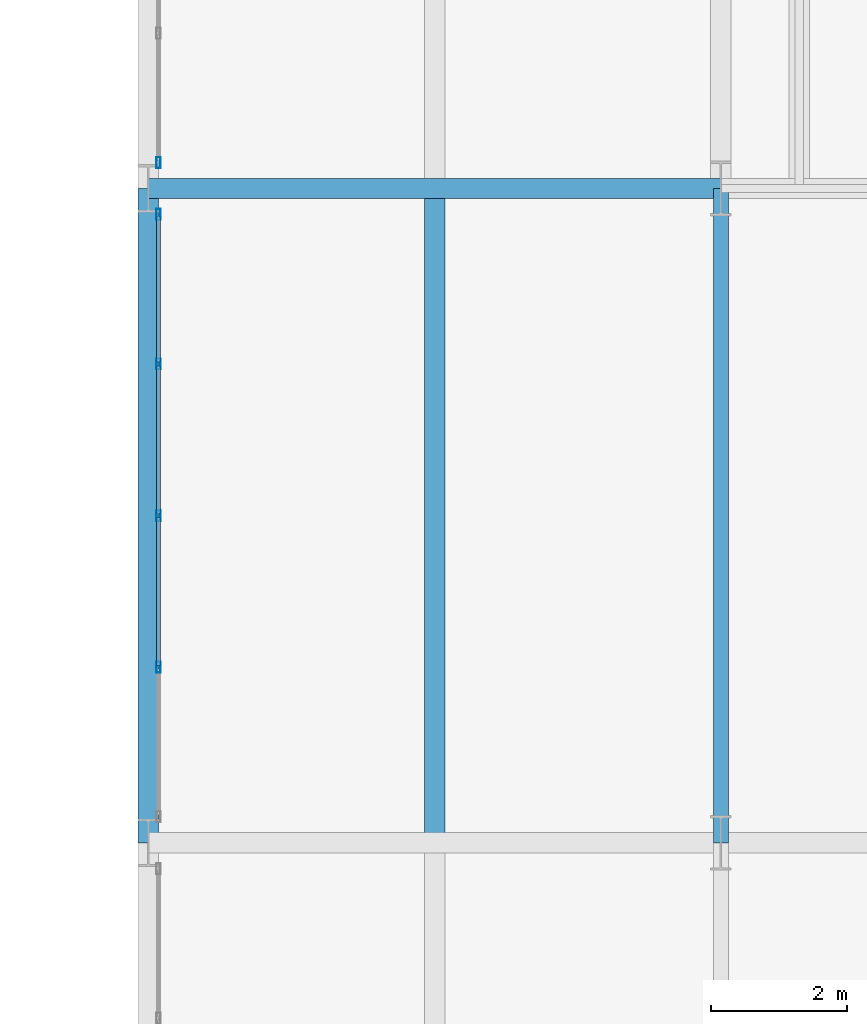
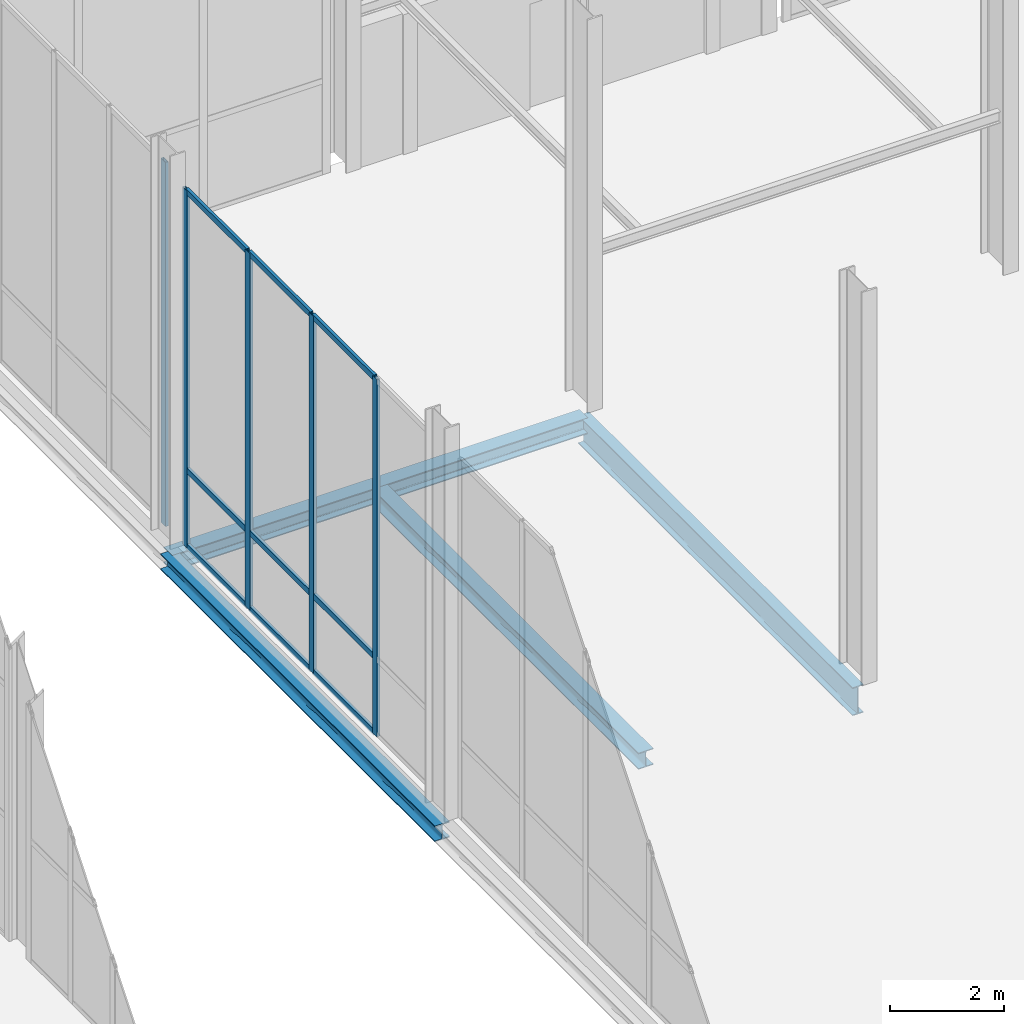
# One storey, part 67 of 131: 14 members, 4 beams, 2 elements without a shape of their own.
"""IFC4 building model written with IfcOpenShell, lengths in metres."""

import ifcopenshell
import ifcopenshell.guid

model = None  # the IFC model being written
_history = None  # IfcOwnerHistory: only IFC2X3 demands one
_inside = {}  # id of a spatial element -> (the spatial element, [elements in it])
_under = {}  # id of a project, library or spatial element -> (it, [spatial elements below it])
_declared = {}  # id of a project -> (the project, [libraries it declares])
_typed = {}  # id of a type object -> (the type object, [elements of that type])
_made_of = {}  # id of a material, layer set ... -> (it, [elements and type objects made of it])


def new_model(schema):
    """Start an empty IFC model of exactly this schema.

    Asked for "IFC4X3", IfcOpenShell would pick the latest addendum, in which some entities
    have other attributes; the version numbers below select the first issue.
    IFC2X3 requires an IfcOwnerHistory on every rooted entity: one is made here for all.
    """
    global model, _history
    if schema == "IFC4X3":
        model = ifcopenshell.file(schema_version=(4, 3, 0, 0))
    else:
        model = ifcopenshell.file(schema=schema)
    _inside.clear()
    _under.clear()
    _declared.clear()
    _typed.clear()
    _made_of.clear()
    _history = None
    if model.schema == "IFC2X3":
        org = make("IfcOrganization", Name="unknown")
        user = make(
            "IfcPersonAndOrganization",
            ThePerson=make("IfcPerson", FamilyName="unknown"),
            TheOrganization=org,
        )
        app = make(
            "IfcApplication",
            ApplicationDeveloper=org,
            Version="unknown",
            ApplicationFullName="unknown",
            ApplicationIdentifier="unknown",
        )
        _history = make(
            "IfcOwnerHistory",
            OwningUser=user,
            OwningApplication=app,
            ChangeAction="ADDED",
            CreationDate=0,
        )
    return model


def make(cls, **values):
    """One entity of the class cls with the attributes given. An attribute that is None is left unset."""
    return model.create_entity(
        cls, **{name: value for name, value in values.items() if value is not None}
    )


def rooted(cls, **values):
    """An entity with a GlobalId (a new one), such as an element, a storey or a relation."""
    return make(cls, GlobalId=ifcopenshell.guid.new(), OwnerHistory=_history, **values)


def si_unit(unit_type, name, prefix=None):
    """IfcSIUnit, for example si_unit("LENGTHUNIT", "METRE", prefix="MILLI")."""
    return make("IfcSIUnit", UnitType=unit_type, Prefix=prefix, Name=name)


def assignment(units):
    """IfcUnitAssignment: the units of a project."""
    return None if units is None else make("IfcUnitAssignment", Units=units)


def point(xyz):
    """IfcCartesianPoint."""
    return None if xyz is None else make("IfcCartesianPoint", Coordinates=xyz)


def direction(xyz):
    """IfcDirection."""
    return None if xyz is None else make("IfcDirection", DirectionRatios=xyz)


def frame(location, z_axis=None, x_axis=None):
    """IfcAxis2Placement3D, a coordinate frame: its origin and axes. An axis left out is left unset."""
    return make(
        "IfcAxis2Placement3D",
        Location=point(location),
        Axis=direction(z_axis),
        RefDirection=direction(x_axis),
    )


def frame_2d(location, x_axis=None):
    """IfcAxis2Placement2D, a coordinate frame in the plane: its origin and x axis."""
    return make(
        "IfcAxis2Placement2D", Location=point(location), RefDirection=direction(x_axis)
    )


def origin():
    """The frame at (0, 0, 0) with its axes left unset."""
    return frame((0.0, 0.0, 0.0))


def origin_2d():
    """The frame at (0, 0) in the plane with its x axis left unset."""
    return frame_2d((0.0, 0.0))


def place(relative_to, where):
    """IfcLocalPlacement: puts the frame where relative to a parent placement (None: the world)."""
    return make(
        "IfcLocalPlacement", PlacementRelTo=relative_to, RelativePlacement=where
    )


def context(
    kind, dimensions, precision=None, world=None, true_north=None, identifier=None
):
    """IfcGeometricRepresentationContext, for example the 3D "Model" context."""
    return make(
        "IfcGeometricRepresentationContext",
        ContextIdentifier=identifier,
        ContextType=kind,
        CoordinateSpaceDimension=dimensions,
        Precision=precision,
        WorldCoordinateSystem=world,
        TrueNorth=true_north,
    )


def subcontext(parent, identifier, kind, view, scale=None):
    """IfcGeometricRepresentationSubContext, for example "Body" below "Model"."""
    return make(
        "IfcGeometricRepresentationSubContext",
        ContextIdentifier=identifier,
        ContextType=kind,
        ParentContext=parent,
        TargetScale=scale,
        TargetView=view,
    )


def project(units=None, contexts=None):
    """IfcProject with its units and contexts."""
    return rooted(
        "IfcProject",
        Name="project",
        RepresentationContexts=contexts,
        UnitsInContext=assignment(units),
    )


def spatial(cls, under=None, at=None, **own):
    """A site, building, storey or space (cls), placed at a placement, below another one or the project."""
    s = rooted(cls, ObjectPlacement=at, **own)
    if under is not None:
        _under.setdefault(under.id(), (under, []))[1].append(s)
    return s


def profile(cls, at=None, kind="AREA", **sizes):
    """A parametric profile (cls). Its sizes go by their IFC names, for example OverallWidth=200.0."""
    return make(cls, ProfileType=kind, Position=at, **sizes)


def hollow_rectangle(**sizes):
    """IfcRectangleHollowProfileDef."""
    return profile("IfcRectangleHollowProfileDef", **sizes)


def i_section(**sizes):
    """IfcIShapeProfileDef."""
    return profile("IfcIShapeProfileDef", **sizes)


def extrude(swept, where, along, depth):
    """IfcExtrudedAreaSolid: the profile swept, set in the frame where, extruded along a direction by depth."""
    return make(
        "IfcExtrudedAreaSolid",
        SweptArea=swept,
        Position=where,
        ExtrudedDirection=direction(along),
        Depth=depth,
    )


def shape(context_of_items, identifier, shape_type, items):
    """IfcShapeRepresentation: the items that make up one representation, for example the "Body"."""
    return make(
        "IfcShapeRepresentation",
        ContextOfItems=context_of_items,
        RepresentationIdentifier=identifier,
        RepresentationType=shape_type,
        Items=items,
    )


def material(Name=None, Category=None):
    """IfcMaterial."""
    return make("IfcMaterial", Name=Name, Category=Category)


def material_profile(
    of_material, cross_section, Name=None, Category=None, Priority=None
):
    """IfcMaterialProfile: a cross section and its material."""
    return make(
        "IfcMaterialProfile",
        Name=Name,
        Material=of_material,
        Profile=cross_section,
        Priority=Priority,
        Category=Category,
    )


def profile_set(profiles, Name=None, composite=None):
    """IfcMaterialProfileSet."""
    return make(
        "IfcMaterialProfileSet",
        Name=Name,
        MaterialProfiles=profiles,
        CompositeProfile=composite,
    )


def made_of(thing, what):
    """Note that an element or type object is made of a material, layer set ...; save() writes the relation."""
    if what is not None:
        _made_of.setdefault(what.id(), (what, []))[1].append(thing)
    return thing


def type_object(cls, material=None, **own):
    """A type object (cls), such as IfcWallType, which elements share."""
    return made_of(rooted(cls, **own), material)


def element(
    cls,
    number,
    at=None,
    inside=None,
    cuts=None,
    type_object=None,
    material=None,
    context=None,
    identifier="Body",
    shape_type=None,
    held_by="IfcProductDefinitionShape",
    body=None,
    shapes=None,
    **own,
):
    """One element of the class cls, such as IfcWall. Its Tag is "e" and its number.

    at: its placement. inside: the storey or other place that contains it. cuts: it is an
    opening in that element (IfcRelVoidsElement). A single representation is given by context,
    identifier, shape_type and body (its items); several are given by shapes. held_by: the class
    of the entity that holds the representations. save() writes the other relations.
    """
    e = rooted(cls, Tag="e%d" % number, ObjectPlacement=at, **own)
    if body is not None:
        shapes = [shape(context, identifier, shape_type, body)]
    if shapes is not None:
        e.Representation = make(held_by, Representations=shapes)
    if inside is not None:
        _inside.setdefault(inside.id(), (inside, []))[1].append(e)
    if cuts is not None:
        rooted(
            "IfcRelVoidsElement", RelatingBuildingElement=cuts, RelatedOpeningElement=e
        )
    if type_object is not None:
        _typed.setdefault(type_object.id(), (type_object, []))[1].append(e)
    return made_of(e, material)


def aggregate(whole, parts):
    """IfcRelAggregates: a whole, such as a stair, and the parts it consists of."""
    return rooted("IfcRelAggregates", RelatingObject=whole, RelatedObjects=parts)


def save(model, path):
    """Write the relations noted so far, then the file.

    IfcRelAggregates (storeys below a building ...), IfcRelContainedInSpatialStructure (elements
    in a storey), IfcRelDefinesByType, IfcRelAssociatesMaterial and IfcRelDeclares: one each for
    every whole, place, type object, material and project.
    """
    for whole, parts in _under.values():
        aggregate(whole, parts)
    for where, things in _inside.values():
        rooted(
            "IfcRelContainedInSpatialStructure",
            RelatedElements=things,
            RelatingStructure=where,
        )
    for kind, things in _typed.values():
        rooted("IfcRelDefinesByType", RelatedObjects=things, RelatingType=kind)
    for what, things in _made_of.values():
        rooted("IfcRelAssociatesMaterial", RelatedObjects=things, RelatingMaterial=what)
    for by, libraries in _declared.values():
        rooted("IfcRelDeclares", RelatingContext=by, RelatedDefinitions=libraries)
    model.write(path)


model = new_model("IFC4")

# Units and contexts
model_context = context("Model", 3, precision=1e-05, world=origin(), true_north=direction((0.0, 1.0)))
body_context = subcontext(model_context, "Body", "Model", "MODEL_VIEW")
ifc_project = project(units=[si_unit("LENGTHUNIT", "METRE"), si_unit("AREAUNIT", "SQUARE_METRE"), si_unit("VOLUMEUNIT", "CUBIC_METRE"), si_unit("PLANEANGLEUNIT", "RADIAN"), si_unit("MASSUNIT", "GRAM", prefix="KILO")], contexts=[model_context])

# Site, building, storey
site_placement = place(None, origin())
site = spatial("IfcSite", under=ifc_project, at=site_placement, CompositionType="ELEMENT")
building_placement = place(site_placement, origin())
building = spatial("IfcBuilding", under=site, at=building_placement, Name="Veltarok Museum of Natural Sciences", CompositionType="ELEMENT")
storey_placement = place(building_placement, origin())
storey = spatial("IfcBuildingStorey", under=building, at=storey_placement, Name="L00", CompositionType="ELEMENT", Elevation=0.0)

# Curtain wall, members
ifc_material_1 = material(Name="Low-iron triple insulated glass", Category="glass")
curtain_wall_type_1 = type_object("IfcCurtainWallType", Name="Curtain Wall System CW-V2NPW-L00-3-890x763 (CW-V2NPW L00 890x763cm)", PredefinedType="NOTDEFINED", material=ifc_material_1)
curtain_wall_1_placement = place(storey_placement, origin())
curtain_wall_1 = element("IfcCurtainWall", 1, at=curtain_wall_1_placement, inside=storey, type_object=curtain_wall_type_1, Name="Curtain Wall CW-V2NPW-L00-3-890x763 CW-0215", PredefinedType="NOTDEFINED")
ifc_material_2 = material(Name="Thermally broken anodised aluminium", Category="aluminium")
ifc_material_profile_1 = material_profile(ifc_material_2, hollow_rectangle(XDim=0.06005859375, YDim=0.1201171875, WallThickness=0.0048828125, at=origin_2d()), Name="CW TRANSOM 60x120x5")
ifc_profile_set_1 = profile_set([ifc_material_profile_1], Name="Thermally broken anodised aluminium")
member_type_1 = type_object("IfcMemberType", Name="Curtain Wall Horizontal Transom 60x120x5", PredefinedType="USERDEFINED", material=ifc_profile_set_1)
member_1_placement = place(storey_placement, frame((56.949951171875, 93.804931640625, 0.028076171875), z_axis=(0.0, 1.0, 0.0), x_axis=(-1.0, 0.0, 0.0)))
member_1 = element("IfcMember", 2, at=member_1_placement, type_object=member_type_1, Name="CW-V2NPW-L00-3-890x763 transom 2.1", ObjectType="TRANSOM", PredefinedType="USERDEFINED", context=body_context, shape_type="SweptSolid", body=[
    extrude(hollow_rectangle(XDim=0.06005859375, YDim=0.1201171875, WallThickness=0.0048828125, at=origin_2d()), origin(), (0.0, 0.0, 1.0), 2.1650390625),
])
member_2_placement = place(storey_placement, frame((56.949951171875, 93.804931640625, 1.64794921875), z_axis=(0.0, 1.0, 0.0), x_axis=(-1.0, 0.0, 0.0)))
member_2 = element("IfcMember", 3, at=member_2_placement, type_object=member_type_1, Name="CW-V2NPW-L00-3-890x763 transom 2.2", ObjectType="TRANSOM", PredefinedType="USERDEFINED", context=body_context, shape_type="SweptSolid", body=[
    extrude(hollow_rectangle(XDim=0.06005859375, YDim=0.1201171875, WallThickness=0.0048828125, at=origin_2d()), origin(), (0.0, 0.0, 1.0), 2.1650390625),
])
member_3_placement = place(storey_placement, frame((56.949951171875, 93.804931640625, 7.60009765625), z_axis=(0.0, 1.0, 0.0), x_axis=(-1.0, 0.0, 0.0)))
member_3 = element("IfcMember", 4, at=member_3_placement, type_object=member_type_1, Name="CW-V2NPW-L00-3-890x763 transom 2.3", ObjectType="TRANSOM", PredefinedType="USERDEFINED", context=body_context, shape_type="SweptSolid", body=[
    extrude(hollow_rectangle(XDim=0.06005859375, YDim=0.1201171875, WallThickness=0.0048828125, at=origin_2d()), origin(), (0.0, 0.0, 1.0), 2.1650390625),
])
member_4_placement = place(storey_placement, frame((56.949951171875, 96.030029296875, 0.028076171875), z_axis=(0.0, 1.0, 0.0), x_axis=(-1.0, 0.0, 0.0)))
member_4 = element("IfcMember", 5, at=member_4_placement, type_object=member_type_1, Name="CW-V2NPW-L00-3-890x763 transom 3.1", ObjectType="TRANSOM", PredefinedType="USERDEFINED", context=body_context, shape_type="SweptSolid", body=[
    extrude(hollow_rectangle(XDim=0.06005859375, YDim=0.1201171875, WallThickness=0.0048828125, at=origin_2d()), origin(), (0.0, 0.0, 1.0), 2.1650390625),
])
member_5_placement = place(storey_placement, frame((56.949951171875, 96.030029296875, 1.64794921875), z_axis=(0.0, 1.0, 0.0), x_axis=(-1.0, 0.0, 0.0)))
member_5 = element("IfcMember", 6, at=member_5_placement, type_object=member_type_1, Name="CW-V2NPW-L00-3-890x763 transom 3.2", ObjectType="TRANSOM", PredefinedType="USERDEFINED", context=body_context, shape_type="SweptSolid", body=[
    extrude(hollow_rectangle(XDim=0.06005859375, YDim=0.1201171875, WallThickness=0.0048828125, at=origin_2d()), origin(), (0.0, 0.0, 1.0), 2.1650390625),
])
member_6_placement = place(storey_placement, frame((56.949951171875, 96.030029296875, 7.60009765625), z_axis=(0.0, 1.0, 0.0), x_axis=(-1.0, 0.0, 0.0)))
member_6 = element("IfcMember", 7, at=member_6_placement, type_object=member_type_1, Name="CW-V2NPW-L00-3-890x763 transom 3.3", ObjectType="TRANSOM", PredefinedType="USERDEFINED", context=body_context, shape_type="SweptSolid", body=[
    extrude(hollow_rectangle(XDim=0.06005859375, YDim=0.1201171875, WallThickness=0.0048828125, at=origin_2d()), origin(), (0.0, 0.0, 1.0), 2.1650390625),
])
member_7_placement = place(storey_placement, frame((56.949951171875, 98.2548828125, 0.028076171875), z_axis=(0.0, 1.0, 0.0), x_axis=(-1.0, 0.0, 0.0)))
member_7 = element("IfcMember", 8, at=member_7_placement, type_object=member_type_1, Name="CW-V2NPW-L00-3-890x763 transom 4.1", ObjectType="TRANSOM", PredefinedType="USERDEFINED", context=body_context, shape_type="SweptSolid", body=[
    extrude(hollow_rectangle(XDim=0.06005859375, YDim=0.1201171875, WallThickness=0.0048828125, at=origin_2d()), origin(), (0.0, 0.0, 1.0), 2.135009765625),
])
member_8_placement = place(storey_placement, frame((56.949951171875, 98.2548828125, 1.64794921875), z_axis=(0.0, 1.0, 0.0), x_axis=(-1.0, 0.0, 0.0)))
member_8 = element("IfcMember", 9, at=member_8_placement, type_object=member_type_1, Name="CW-V2NPW-L00-3-890x763 transom 4.2", ObjectType="TRANSOM", PredefinedType="USERDEFINED", context=body_context, shape_type="SweptSolid", body=[
    extrude(hollow_rectangle(XDim=0.06005859375, YDim=0.1201171875, WallThickness=0.0048828125, at=origin_2d()), origin(), (0.0, 0.0, 1.0), 2.135009765625),
])
member_9_placement = place(storey_placement, frame((56.949951171875, 98.2548828125, 7.60009765625), z_axis=(0.0, 1.0, 0.0), x_axis=(-1.0, 0.0, 0.0)))
member_9 = element("IfcMember", 10, at=member_9_placement, type_object=member_type_1, Name="CW-V2NPW-L00-3-890x763 transom 4.3", ObjectType="TRANSOM", PredefinedType="USERDEFINED", context=body_context, shape_type="SweptSolid", body=[
    extrude(hollow_rectangle(XDim=0.06005859375, YDim=0.1201171875, WallThickness=0.0048828125, at=origin_2d()), origin(), (0.0, 0.0, 1.0), 2.135009765625),
])
ifc_material_profile_2 = material_profile(ifc_material_2, hollow_rectangle(XDim=0.06005859375, YDim=0.159912109375, WallThickness=0.0048828125, at=origin_2d()), Name="CW MULLION 60x160x5")
ifc_profile_set_2 = profile_set([ifc_material_profile_2], Name="Thermally broken anodised aluminium")
member_type_2 = type_object("IfcMemberType", Name="Curtain Wall Vertical Mullion 60x160x5", PredefinedType="MULLION", material=ifc_profile_set_2)
member_10_placement = place(storey_placement, frame((56.949951171875, 93.77490234375, -0.001953125), z_axis=(0.0, 0.0, 1.0), x_axis=(-1.0, 0.0, 0.0)))
member_10 = element("IfcMember", 11, at=member_10_placement, type_object=member_type_2, Name="CW-V2NPW-L00-3-890x763 mullion 2", PredefinedType="MULLION", context=body_context, shape_type="SweptSolid", body=[
    extrude(hollow_rectangle(XDim=0.06005859375, YDim=0.159912109375, WallThickness=0.0048828125, at=origin_2d()), origin(), (0.0, 0.0, 1.0), 7.6318359375),
])
member_11_placement = place(storey_placement, frame((56.949951171875, 96.0, -0.001953125), z_axis=(0.0, 0.0, 1.0), x_axis=(-1.0, 0.0, 0.0)))
member_11 = element("IfcMember", 12, at=member_11_placement, type_object=member_type_2, Name="CW-V2NPW-L00-3-890x763 mullion 3", PredefinedType="MULLION", context=body_context, shape_type="SweptSolid", body=[
    extrude(hollow_rectangle(XDim=0.06005859375, YDim=0.159912109375, WallThickness=0.0048828125, at=origin_2d()), origin(), (0.0, 0.0, 1.0), 7.6318359375),
])
member_12_placement = place(storey_placement, frame((56.949951171875, 98.22509765625, -0.001953125), z_axis=(0.0, 0.0, 1.0), x_axis=(-1.0, 0.0, 0.0)))
member_12 = element("IfcMember", 13, at=member_12_placement, type_object=member_type_2, Name="CW-V2NPW-L00-3-890x763 mullion 4", PredefinedType="MULLION", context=body_context, shape_type="SweptSolid", body=[
    extrude(hollow_rectangle(XDim=0.06005859375, YDim=0.159912109375, WallThickness=0.0048828125, at=origin_2d()), origin(), (0.0, 0.0, 1.0), 7.6318359375),
])
member_13_placement = place(storey_placement, frame((56.949951171875, 100.419921875, -0.001953125), z_axis=(0.0, 0.0, 1.0), x_axis=(-1.0, 0.0, 0.0)))
member_13 = element("IfcMember", 14, at=member_13_placement, type_object=member_type_2, Name="CW-V2NPW-L00-3-890x763 mullion 5", PredefinedType="MULLION", context=body_context, shape_type="SweptSolid", body=[
    extrude(hollow_rectangle(XDim=0.06005859375, YDim=0.159912109375, WallThickness=0.0048828125, at=origin_2d()), origin(), (0.0, 0.0, 1.0), 7.6318359375),
])
aggregate(curtain_wall_1, [member_10, member_11, member_12, member_13, member_1, member_2, member_3, member_4, member_5, member_6, member_7, member_8, member_9])

# Curtain wall, member
curtain_wall_type_2 = type_object("IfcCurtainWallType", Name="Curtain Wall System CW-V2NPW-L00-0-770x778 (CW-V2NPW L00 770x778cm)", PredefinedType="NOTDEFINED", material=ifc_material_1)
curtain_wall_2_placement = place(storey_placement, origin())
curtain_wall_2 = element("IfcCurtainWall", 15, at=curtain_wall_2_placement, inside=storey, type_object=curtain_wall_type_2, Name="Curtain Wall CW-V2NPW-L00-0-770x778 CW-0216", PredefinedType="NOTDEFINED")
member_14_placement = place(storey_placement, frame((56.949951171875, 101.179931640625, -0.001953125), z_axis=(0.0, 0.0, 1.0), x_axis=(-1.0, 0.0, 0.0)))
member_14 = element("IfcMember", 16, at=member_14_placement, type_object=member_type_2, Name="CW-V2NPW-L00-0-770x778 mullion 1", PredefinedType="MULLION", context=body_context, shape_type="SweptSolid", body=[
    extrude(hollow_rectangle(XDim=0.06005859375, YDim=0.159912109375, WallThickness=0.0048828125, at=origin_2d()), origin(), (0.0, 0.0, 1.0), 7.781982421875),
])
aggregate(curtain_wall_2, [member_14])

# Beams
ifc_material_3 = material(Name="Steel S355J2", Category="steel")
ifc_material_profile_3 = material_profile(ifc_material_3, i_section(OverallWidth=0.300048828125, OverallDepth=0.35009765625, WebThickness=0.010009765625, FlangeThickness=0.017578125, FilletRadius=0.027099609375, at=origin_2d()), Name="HEA 360")
ifc_profile_set_3 = profile_set([ifc_material_profile_3], Name="Steel S355J2")
beam_type_1 = type_object("IfcBeamType", Name="Long-Span Gallery Joist HEA 360", PredefinedType="JOIST", material=ifc_profile_set_3)
beam_1_placement = place(storey_placement, frame((61.0, 91.347900390625, -0.47509765625), z_axis=(0.0, 1.0, 0.0), x_axis=(-1.0, 0.0, 0.0)))
element("IfcBeam", 17, at=beam_1_placement, inside=storey, type_object=beam_type_1, Name="Secondary Joist BM-J07 L00 7-8/K-L.1", PredefinedType="JOIST", context=body_context, shape_type="SweptSolid", body=[
    extrude(i_section(OverallWidth=0.300048828125, OverallDepth=0.35009765625, WebThickness=0.010009765625, FlangeThickness=0.017578125, FilletRadius=0.027099609375, at=origin_2d()), origin(), (0.0, 0.0, 1.0), 9.30419921875),
])
ifc_material_profile_4 = material_profile(ifc_material_3, i_section(OverallWidth=0.300048828125, OverallDepth=0.340087890625, WebThickness=0.011962890625, FlangeThickness=0.021484375, FilletRadius=0.027099609375, at=origin_2d()), Name="HEB 340")
ifc_profile_set_4 = profile_set([ifc_material_profile_4], Name="Steel S355J2")
beam_type_2 = type_object("IfcBeamType", Name="Perimeter Bridge Spandrel HEB 340", PredefinedType="SPANDREL", material=ifc_profile_set_4)
beam_2_placement = place(storey_placement, frame((56.800048828125, 100.800048828125, -0.469970703125), z_axis=(1.0, 0.0, 0.0), x_axis=(0.0, 1.0, 0.0)))
element("IfcBeam", 18, at=beam_2_placement, inside=storey, type_object=beam_type_2, Name="Beam BM-SP07 L00 7-8/L", PredefinedType="SPANDREL", context=body_context, shape_type="SweptSolid", body=[
    extrude(i_section(OverallWidth=0.300048828125, OverallDepth=0.340087890625, WebThickness=0.011962890625, FlangeThickness=0.021484375, FilletRadius=0.027099609375, at=origin_2d()), origin(), (0.0, 0.0, 1.0), 8.39990234375),
])
beam_3_placement = place(storey_placement, frame((56.800048828125, 91.199951171875, -0.469970703125), z_axis=(0.0, 1.0, 0.0), x_axis=(-1.0, 0.0, 0.0)))
element("IfcBeam", 19, at=beam_3_placement, inside=storey, type_object=beam_type_2, Name="Beam BM-SP07 L00 7/K-L", PredefinedType="SPANDREL", context=body_context, shape_type="SweptSolid", body=[
    extrude(i_section(OverallWidth=0.300048828125, OverallDepth=0.340087890625, WebThickness=0.011962890625, FlangeThickness=0.021484375, FilletRadius=0.027099609375, at=origin_2d()), origin(), (0.0, 0.0, 1.0), 9.60009765625),
])
ifc_material_profile_5 = material_profile(ifc_material_3, i_section(OverallWidth=0.219970703125, OverallDepth=0.60009765625, WebThickness=0.011962890625, FlangeThickness=0.01904296875, FilletRadius=0.02392578125, at=origin_2d()), Name="IPE 600")
ifc_profile_set_5 = profile_set([ifc_material_profile_5], Name="Steel S355J2")
beam_type_3 = type_object("IfcBeamType", Name="Primary Museum Girder IPE 600", PredefinedType="BEAM", material=ifc_profile_set_5)
beam_4_placement = place(storey_placement, frame((65.199951171875, 91.199951171875, -0.60009765625), z_axis=(0.0, 1.0, 0.0), x_axis=(-1.0, 0.0, 0.0)))
element("IfcBeam", 20, at=beam_4_placement, inside=storey, type_object=beam_type_3, Name="Beam BM-G02 L00 8/K-L", PredefinedType="BEAM", context=body_context, shape_type="SweptSolid", body=[
    extrude(i_section(OverallWidth=0.219970703125, OverallDepth=0.60009765625, WebThickness=0.011962890625, FlangeThickness=0.01904296875, FilletRadius=0.02392578125, at=origin_2d()), origin(), (0.0, 0.0, 1.0), 9.60009765625),
])

save(model, "model.ifc")
